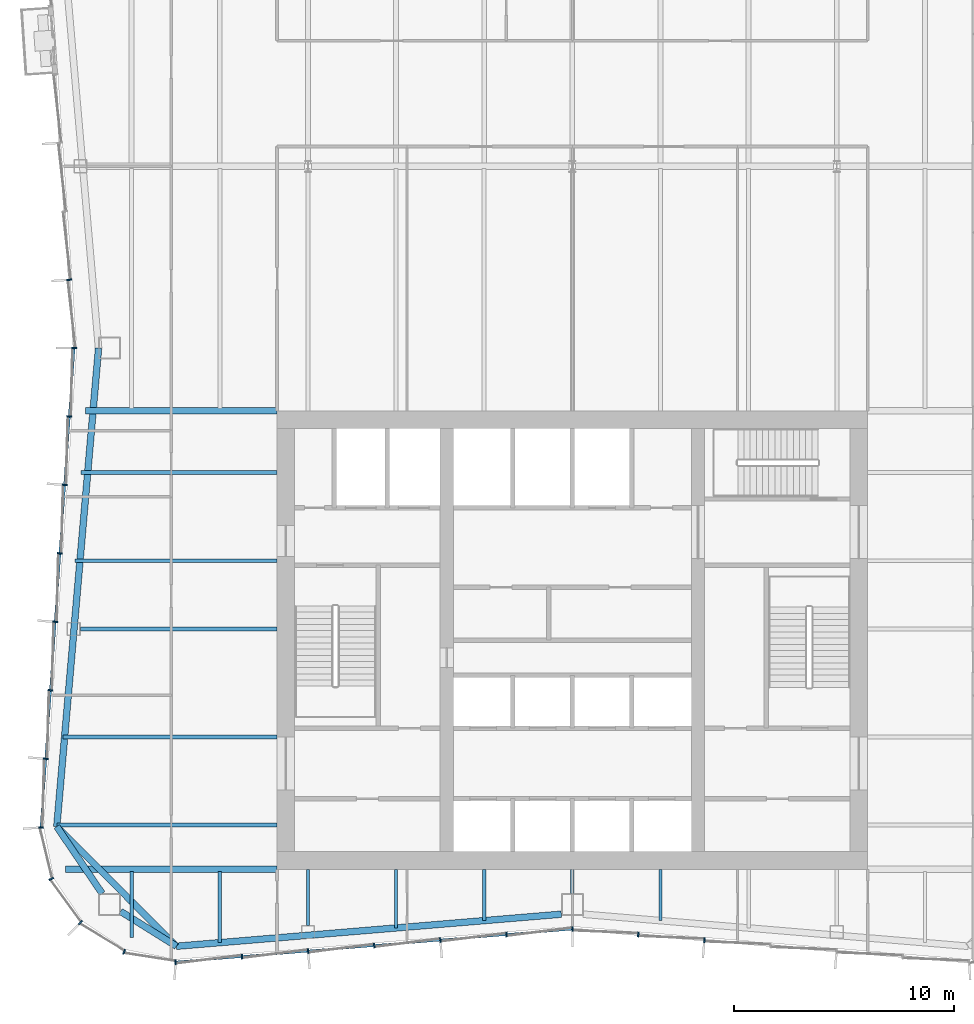
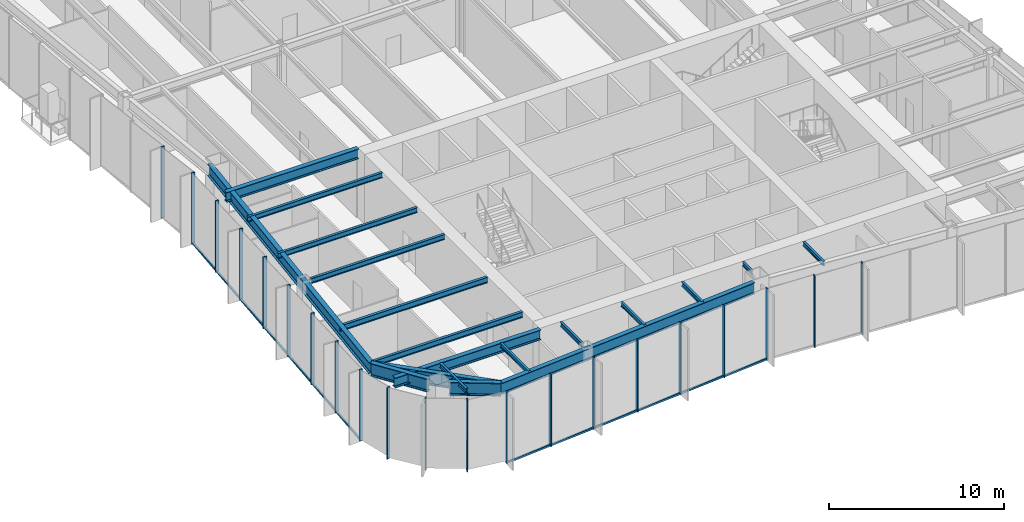
# One storey, part 3 of 15: 23 members, 19 beams, 3 elements without a shape of their own.
"""IFC4 building model written with IfcOpenShell, lengths in metres."""

from ifc_helpers import new_model, si_unit, direction, frame, origin, origin_2d, place, context, subcontext, project, spatial, rectangle, i_section, extrude, material, material_profile, profile_set, type_object, element, aggregate, save


model = new_model("IFC4")

# Units and contexts
model_context = context("Model", 3, precision=1e-05, world=origin(), true_north=direction((0.0, 1.0)))
body_context = subcontext(model_context, "Body", "Model", "MODEL_VIEW")
ifc_project = project(units=[si_unit("LENGTHUNIT", "METRE"), si_unit("AREAUNIT", "SQUARE_METRE"), si_unit("VOLUMEUNIT", "CUBIC_METRE"), si_unit("PLANEANGLEUNIT", "RADIAN"), si_unit("MASSUNIT", "GRAM", prefix="KILO")], contexts=[model_context])

# Site, building, storey
site_placement = place(None, origin())
site = spatial("IfcSite", under=ifc_project, at=site_placement, CompositionType="ELEMENT")
building_placement = place(site_placement, origin())
building = spatial("IfcBuilding", under=site, at=building_placement, Name="Verdant Reach Tower", CompositionType="ELEMENT")
storey_placement = place(building_placement, frame((0.0, 0.0, 233.0)))
storey = spatial("IfcBuildingStorey", under=building, at=storey_placement, Name="L53", CompositionType="ELEMENT", Elevation=233.0)

# Curtain wall, members
ifc_material_1 = material(Name="Anodised aluminium", Category="aluminium")
curtain_wall_type = type_object("IfcCurtainWallType", Name="EN-CW SYSTEM Z4", PredefinedType="NOTDEFINED", material=ifc_material_1)
curtain_wall_1_placement = place(storey_placement, origin())
curtain_wall_1 = element("IfcCurtainWall", 1, at=curtain_wall_1_placement, inside=storey, type_object=curtain_wall_type, Name="Curtain wall west, L53", PredefinedType="NOTDEFINED")
ifc_material_profile_1 = material_profile(ifc_material_1, rectangle(XDim=0.22412109375, YDim=0.068115234375, at=origin_2d()), Name="Mullion 68x224")
ifc_profile_set_1 = profile_set([ifc_material_profile_1], Name="Anodised aluminium")
member_type_1 = type_object("IfcMemberType", Name="EN-MULLION Z4", PredefinedType="MULLION", material=ifc_profile_set_1)
member_1_placement = place(storey_placement, frame((-22.825927734375, 44.349365234375, -0.35009765625), z_axis=(0.0, 0.0, 1.0), x_axis=(-0.997630328423, -0.068802091615, 0.0)))
member_1 = element("IfcMember", 2, at=member_1_placement, type_object=member_type_1, Name="Mullion west face part 1 7, L53", PredefinedType="MULLION", context=body_context, shape_type="SweptSolid", body=[
    extrude(rectangle(XDim=0.22412109375, YDim=0.068115234375, at=origin_2d()), origin(), (0.0, 0.0, 1.0), 5.0),
])
member_2_placement = place(storey_placement, frame((-22.612060546875, 41.25, -0.35009765625), z_axis=(0.0, 0.0, 1.0), x_axis=(-1.0, 0.0, 0.0)))
member_2 = element("IfcMember", 3, at=member_2_placement, type_object=member_type_1, Name="Mullion west face part 2 1, L53", PredefinedType="MULLION", context=body_context, shape_type="SweptSolid", body=[
    extrude(rectangle(XDim=0.22412109375, YDim=0.068115234375, at=origin_2d()), origin(), (0.0, 0.0, 1.0), 5.0),
])
member_3_placement = place(storey_placement, frame((-22.825927734375, 38.150634765625, -0.35009765625), z_axis=(0.0, 0.0, 1.0), x_axis=(-0.997630328423, 0.068802091615, 0.0)))
member_3 = element("IfcMember", 4, at=member_3_placement, type_object=member_type_1, Name="Mullion west face part 2 2, L53", PredefinedType="MULLION", context=body_context, shape_type="SweptSolid", body=[
    extrude(rectangle(XDim=0.22412109375, YDim=0.068115234375, at=origin_2d()), origin(), (0.0, 0.0, 1.0), 5.0),
])
member_4_placement = place(storey_placement, frame((-23.040283203125, 35.04345703125, -0.35009765625), z_axis=(0.0, 0.0, 1.0), x_axis=(-0.997630328423, 0.068802091615, 0.0)))
member_4 = element("IfcMember", 5, at=member_4_placement, type_object=member_type_1, Name="Mullion west face part 2 3, L53", PredefinedType="MULLION", context=body_context, shape_type="SweptSolid", body=[
    extrude(rectangle(XDim=0.22412109375, YDim=0.068115234375, at=origin_2d()), origin(), (0.0, 0.0, 1.0), 5.0),
])
member_5_placement = place(storey_placement, frame((-23.254638671875, 31.936279296875, -0.35009765625), z_axis=(0.0, 0.0, 1.0), x_axis=(-0.997630328423, 0.068802091615, 0.0)))
member_5 = element("IfcMember", 6, at=member_5_placement, type_object=member_type_1, Name="Mullion west face part 2 4, L53", PredefinedType="MULLION", context=body_context, shape_type="SweptSolid", body=[
    extrude(rectangle(XDim=0.22412109375, YDim=0.068115234375, at=origin_2d()), origin(), (0.0, 0.0, 1.0), 5.0),
])
member_6_placement = place(storey_placement, frame((-23.468994140625, 28.8291015625, -0.35009765625), z_axis=(0.0, 0.0, 1.0), x_axis=(-0.997630328423, 0.068802091615, 0.0)))
member_6 = element("IfcMember", 7, at=member_6_placement, type_object=member_type_1, Name="Mullion west face part 2 5, L53", PredefinedType="MULLION", context=body_context, shape_type="SweptSolid", body=[
    extrude(rectangle(XDim=0.22412109375, YDim=0.068115234375, at=origin_2d()), origin(), (0.0, 0.0, 1.0), 5.0),
])
member_7_placement = place(storey_placement, frame((-23.68310546875, 25.721923828125, -0.35009765625), z_axis=(0.0, 0.0, 1.0), x_axis=(-0.997630328423, 0.068802091615, 0.0)))
member_7 = element("IfcMember", 8, at=member_7_placement, type_object=member_type_1, Name="Mullion west face part 2 6, L53", PredefinedType="MULLION", context=body_context, shape_type="SweptSolid", body=[
    extrude(rectangle(XDim=0.22412109375, YDim=0.068115234375, at=origin_2d()), origin(), (0.0, 0.0, 1.0), 5.0),
])
member_8_placement = place(storey_placement, frame((-23.8974609375, 22.61474609375, -0.35009765625), z_axis=(0.0, 0.0, 1.0), x_axis=(-0.997630328423, 0.068802091615, 0.0)))
member_8 = element("IfcMember", 9, at=member_8_placement, type_object=member_type_1, Name="Mullion west face part 2 7, L53", PredefinedType="MULLION", context=body_context, shape_type="SweptSolid", body=[
    extrude(rectangle(XDim=0.22412109375, YDim=0.068115234375, at=origin_2d()), origin(), (0.0, 0.0, 1.0), 5.0),
])

curtain_wall_2_placement = place(storey_placement, origin())
curtain_wall_2 = element("IfcCurtainWall", 10, at=curtain_wall_2_placement, inside=storey, type_object=curtain_wall_type, Name="Curtain wall south-west corner, L53", PredefinedType="NOTDEFINED")
member_9_placement = place(storey_placement, frame((-24.11181640625, 19.492919921875, -0.35009765625), z_axis=(0.0, 0.0, 1.0), x_axis=(-0.997969180898, -0.063698618332, 0.0)))
member_9 = element("IfcMember", 11, at=member_9_placement, type_object=member_type_1, Name="Mullion south-west corner 1, L53", PredefinedType="MULLION", context=body_context, shape_type="SweptSolid", body=[
    extrude(rectangle(XDim=0.22412109375, YDim=0.068115234375, at=origin_2d()), origin(), (0.0, 0.0, 1.0), 5.0),
])
member_10_placement = place(storey_placement, frame((-23.646728515625, 17.1611328125, -0.35009765625), z_axis=(0.0, 0.0, 1.0), x_axis=(-0.923875215753, -0.382693853776, 0.0)))
member_10 = element("IfcMember", 12, at=member_10_placement, type_object=member_type_1, Name="Mullion south-west corner 2, L53", PredefinedType="MULLION", context=body_context, shape_type="SweptSolid", body=[
    extrude(rectangle(XDim=0.22412109375, YDim=0.068115234375, at=origin_2d()), origin(), (0.0, 0.0, 1.0), 5.0),
])
member_11_placement = place(storey_placement, frame((-22.32177734375, 15.17822265625, -0.35009765625), z_axis=(0.0, 0.0, 1.0), x_axis=(-0.707106781187, -0.707106781187, 0.0)))
member_11 = element("IfcMember", 13, at=member_11_placement, type_object=member_type_1, Name="Mullion south-west corner 3, L53", PredefinedType="MULLION", context=body_context, shape_type="SweptSolid", body=[
    extrude(rectangle(XDim=0.22412109375, YDim=0.068115234375, at=origin_2d()), origin(), (0.0, 0.0, 1.0), 5.0),
])
member_12_placement = place(storey_placement, frame((-20.3388671875, 13.853271484375, -0.35009765625), z_axis=(0.0, 0.0, 1.0), x_axis=(-0.382693853776, -0.923875215753, 0.0)))
member_12 = element("IfcMember", 14, at=member_12_placement, type_object=member_type_1, Name="Mullion south-west corner 4, L53", PredefinedType="MULLION", context=body_context, shape_type="SweptSolid", body=[
    extrude(rectangle(XDim=0.22412109375, YDim=0.068115234375, at=origin_2d()), origin(), (0.0, 0.0, 1.0), 5.0),
])
aggregate(curtain_wall_2, [member_9, member_10, member_11, member_12])

curtain_wall_3_placement = place(storey_placement, origin())
curtain_wall_3 = element("IfcCurtainWall", 15, at=curtain_wall_3_placement, inside=storey, type_object=curtain_wall_type, Name="Curtain wall south, L53", PredefinedType="NOTDEFINED")
member_13_placement = place(storey_placement, frame((-18.00634765625, 13.38818359375, -0.35009765625), z_axis=(0.0, 0.0, 1.0), x_axis=(-0.056569187765, -0.998398681387, 0.0)))
member_13 = element("IfcMember", 16, at=member_13_placement, type_object=member_type_1, Name="Mullion south face part 1 1, L53", PredefinedType="MULLION", context=body_context, shape_type="SweptSolid", body=[
    extrude(rectangle(XDim=0.22412109375, YDim=0.068115234375, at=origin_2d()), origin(), (0.0, 0.0, 1.0), 5.0),
])
member_14_placement = place(storey_placement, frame((-14.99072265625, 13.638427734375, -0.35009765625), z_axis=(0.0, 0.0, 1.0), x_axis=(0.083045479859, -0.996545758244, 0.0)))
member_14 = element("IfcMember", 17, at=member_14_placement, type_object=member_type_1, Name="Mullion south face part 1 2, L53", PredefinedType="MULLION", context=body_context, shape_type="SweptSolid", body=[
    extrude(rectangle(XDim=0.22412109375, YDim=0.068115234375, at=origin_2d()), origin(), (0.0, 0.0, 1.0), 5.0),
])
member_15_placement = place(storey_placement, frame((-11.99072265625, 13.888427734375, -0.35009765625), z_axis=(0.0, 0.0, 1.0), x_axis=(0.083045479859, -0.996545758244, 0.0)))
member_15 = element("IfcMember", 18, at=member_15_placement, type_object=member_type_1, Name="Mullion south face part 1 3, L53", PredefinedType="MULLION", context=body_context, shape_type="SweptSolid", body=[
    extrude(rectangle(XDim=0.22412109375, YDim=0.068115234375, at=origin_2d()), origin(), (0.0, 0.0, 1.0), 5.0),
])
member_16_placement = place(storey_placement, frame((-8.99072265625, 14.138427734375, -0.35009765625), z_axis=(0.0, 0.0, 1.0), x_axis=(0.083045479859, -0.996545758244, 0.0)))
member_16 = element("IfcMember", 19, at=member_16_placement, type_object=member_type_1, Name="Mullion south face part 1 4, L53", PredefinedType="MULLION", context=body_context, shape_type="SweptSolid", body=[
    extrude(rectangle(XDim=0.22412109375, YDim=0.068115234375, at=origin_2d()), origin(), (0.0, 0.0, 1.0), 5.0),
])
member_17_placement = place(storey_placement, frame((-5.99072265625, 14.388427734375, -0.35009765625), z_axis=(0.0, 0.0, 1.0), x_axis=(0.083045479859, -0.996545758244, 0.0)))
member_17 = element("IfcMember", 20, at=member_17_placement, type_object=member_type_1, Name="Mullion south face part 1 5, L53", PredefinedType="MULLION", context=body_context, shape_type="SweptSolid", body=[
    extrude(rectangle(XDim=0.22412109375, YDim=0.068115234375, at=origin_2d()), origin(), (0.0, 0.0, 1.0), 5.0),
])
member_18_placement = place(storey_placement, frame((-2.99072265625, 14.638427734375, -0.35009765625), z_axis=(0.0, 0.0, 1.0), x_axis=(0.083045479859, -0.996545758244, 0.0)))
member_18 = element("IfcMember", 21, at=member_18_placement, type_object=member_type_1, Name="Mullion south face part 1 6, L53", PredefinedType="MULLION", context=body_context, shape_type="SweptSolid", body=[
    extrude(rectangle(XDim=0.22412109375, YDim=0.068115234375, at=origin_2d()), origin(), (0.0, 0.0, 1.0), 5.0),
])
member_19_placement = place(storey_placement, frame((0.0, 14.887939453125, -0.35009765625), z_axis=(0.0, 0.0, 1.0), x_axis=(0.0, -1.0, 0.0)))
member_19 = element("IfcMember", 22, at=member_19_placement, type_object=member_type_1, Name="Mullion south face part 2 1, L53", PredefinedType="MULLION", context=body_context, shape_type="SweptSolid", body=[
    extrude(rectangle(XDim=0.22412109375, YDim=0.068115234375, at=origin_2d()), origin(), (0.0, 0.0, 1.0), 5.0),
])
member_20_placement = place(storey_placement, frame((2.99072265625, 14.638427734375, -0.35009765625), z_axis=(0.0, 0.0, 1.0), x_axis=(-0.083045479859, -0.996545758244, 0.0)))
member_20 = element("IfcMember", 23, at=member_20_placement, type_object=member_type_1, Name="Mullion south face part 2 2, L53", PredefinedType="MULLION", context=body_context, shape_type="SweptSolid", body=[
    extrude(rectangle(XDim=0.22412109375, YDim=0.068115234375, at=origin_2d()), origin(), (0.0, 0.0, 1.0), 5.0),
])
member_21_placement = place(storey_placement, frame((5.99072265625, 14.388427734375, -0.35009765625), z_axis=(0.0, 0.0, 1.0), x_axis=(-0.083045479859, -0.996545758244, 0.0)))
member_21 = element("IfcMember", 24, at=member_21_placement, type_object=member_type_1, Name="Mullion south face part 2 3, L53", PredefinedType="MULLION", context=body_context, shape_type="SweptSolid", body=[
    extrude(rectangle(XDim=0.22412109375, YDim=0.068115234375, at=origin_2d()), origin(), (0.0, 0.0, 1.0), 5.0),
])

# Member
ifc_material_profile_2 = material_profile(ifc_material_1, rectangle(XDim=0.10009765625, YDim=0.1279296875, at=origin_2d()), Name="Transom 128x100")
ifc_profile_set_2 = profile_set([ifc_material_profile_2], Name="Anodised aluminium")
member_type_2 = type_object("IfcMemberType", Name="EN-TRANSOM Z4", PredefinedType="USERDEFINED", material=ifc_profile_set_2)
member_22_placement = place(storey_placement, frame((-22.6142578125, 41.216064453125, -0.285888671875), z_axis=(-0.068770489035, -0.997632507408, 0.0), x_axis=(0.997632507408, -0.068770489035, 0.0)))
member_22 = element("IfcMember", 25, at=member_22_placement, type_object=member_type_2, Name="Transom west face part 2 1.1, L53", ObjectType="TRANSOM", PredefinedType="USERDEFINED", context=body_context, shape_type="SweptSolid", body=[
    extrude(rectangle(XDim=0.10009765625, YDim=0.1279296875, at=origin_2d()), origin(), (0.0, 0.0, 1.0), 21.74072265625),
])

aggregate(curtain_wall_1, [member_1, member_2, member_3, member_4, member_5, member_6, member_7, member_8, member_22])

member_23_placement = place(storey_placement, frame((-17.972412109375, 13.39111328125, -0.285888671875), z_axis=(0.996549124771, 0.083005071637, 0.0), x_axis=(-0.083005071637, 0.996549124771, 0.0)))
member_23 = element("IfcMember", 26, at=member_23_placement, type_object=member_type_2, Name="Transom south face part 1 1.1, L53", ObjectType="TRANSOM", PredefinedType="USERDEFINED", context=body_context, shape_type="SweptSolid", body=[
    extrude(rectangle(XDim=0.10009765625, YDim=0.1279296875, at=origin_2d()), origin(), (0.0, 0.0, 1.0), 18.00048828125),
])

aggregate(curtain_wall_3, [member_13, member_14, member_15, member_16, member_17, member_18, member_23, member_19, member_20, member_21])

# Beams
ifc_material_2 = material(Name="Steel S355", Category="steel")
ifc_material_profile_3 = material_profile(ifc_material_2, i_section(OverallWidth=0.300048828125, OverallDepth=0.699951171875, WebThickness=0.01708984375, FlangeThickness=0.031982421875, FilletRadius=0.027099609375, at=origin_2d()), Name="HEB 700")
ifc_profile_set_3 = profile_set([ifc_material_profile_3], Name="Steel S355")
beam_type_1 = type_object("IfcBeamType", Name="ST-BEAM-HEB700", PredefinedType="BEAM", material=ifc_profile_set_3)
beam_1_placement = place(storey_placement, frame((-13.39990234375, 38.39990234375, 4.52001953125), z_axis=(-1.0, 0.0, 0.0), x_axis=(0.0, -1.0, 0.0)))
element("IfcBeam", 27, at=beam_1_placement, inside=storey, type_object=beam_type_1, Name="Trimmer beam, L53", PredefinedType="BEAM", context=body_context, shape_type="SweptSolid", body=[
    extrude(i_section(OverallWidth=0.300048828125, OverallDepth=0.699951171875, WebThickness=0.01708984375, FlangeThickness=0.031982421875, FilletRadius=0.027099609375, at=origin_2d()), origin(), (0.0, 0.0, 1.0), 8.6953125),
])
beam_2_placement = place(storey_placement, frame((-13.39990234375, 17.60009765625, 4.52001953125), z_axis=(-1.0, 0.0, 0.0), x_axis=(0.0, -1.0, 0.0)))
element("IfcBeam", 28, at=beam_2_placement, inside=storey, type_object=beam_type_1, Name="Trimmer beam, L53", PredefinedType="BEAM", context=body_context, shape_type="SweptSolid", body=[
    extrude(i_section(OverallWidth=0.300048828125, OverallDepth=0.699951171875, WebThickness=0.01708984375, FlangeThickness=0.031982421875, FilletRadius=0.027099609375, at=origin_2d()), origin(), (0.0, 0.0, 1.0), 9.6103515625),
])
ifc_material_profile_4 = material_profile(ifc_material_2, i_section(OverallWidth=0.302001953125, OverallDepth=0.909912109375, WebThickness=0.02099609375, FlangeThickness=0.0400390625, FilletRadius=0.030029296875, at=origin_2d()), Name="HEM 900")
ifc_profile_set_4 = profile_set([ifc_material_profile_4], Name="Steel S355")
beam_type_2 = type_object("IfcBeamType", Name="ST-BEAM-HEM900", PredefinedType="BEAM", material=ifc_profile_set_4)
beam_3_placement = place(storey_placement, frame((-20.5, 15.687744140625, 4.4150390625), z_axis=(0.848163521635, -0.529734500073, 0.0), x_axis=(0.529734500073, 0.848163521635, 0.0)))
element("IfcBeam", 29, at=beam_3_placement, inside=storey, type_object=beam_type_2, Name="Column stub beam, L53", PredefinedType="BEAM", context=body_context, shape_type="SweptSolid", body=[
    extrude(i_section(OverallWidth=0.302001953125, OverallDepth=0.909912109375, WebThickness=0.02099609375, FlangeThickness=0.0400390625, FilletRadius=0.030029296875, at=origin_2d()), origin(), (0.0, 0.0, 1.0), 2.98779296875),
])
beam_4_placement = place(storey_placement, frame((-21.33837890625, 16.5, 4.4150390625), z_axis=(-0.560703975309, 0.828016335631, 0.0), x_axis=(-0.828016335631, -0.560703975309, 0.0)))
element("IfcBeam", 30, at=beam_4_placement, inside=storey, type_object=beam_type_2, Name="Column stub beam, L53", PredefinedType="BEAM", context=body_context, shape_type="SweptSolid", body=[
    extrude(i_section(OverallWidth=0.302001953125, OverallDepth=0.909912109375, WebThickness=0.02099609375, FlangeThickness=0.0400390625, FilletRadius=0.030029296875, at=origin_2d()), origin(), (0.0, 0.0, 1.0), 3.669677734375),
])
ifc_material_profile_5 = material_profile(ifc_material_2, i_section(OverallWidth=0.14990234375, OverallDepth=0.300048828125, WebThickness=0.007080078125, FlangeThickness=0.0107421875, FilletRadius=0.014892578125, at=origin_2d()), Name="IPE 300")
ifc_profile_set_5 = profile_set([ifc_material_profile_5], Name="Steel S355")
beam_type_3 = type_object("IfcBeamType", Name="ST-JOIST-IPE300", PredefinedType="JOIST", material=ifc_profile_set_5)
beam_5_placement = place(storey_placement, frame((-20.0, 17.5, 4.719970703125), z_axis=(0.0, -1.0, 0.0), x_axis=(1.0, 0.0, 0.0)))
element("IfcBeam", 31, at=beam_5_placement, inside=storey, type_object=beam_type_3, Name="Floor joist, L53", PredefinedType="JOIST", context=body_context, shape_type="SweptSolid", body=[
    extrude(i_section(OverallWidth=0.14990234375, OverallDepth=0.300048828125, WebThickness=0.007080078125, FlangeThickness=0.0107421875, FilletRadius=0.014892578125, at=origin_2d()), origin(), (0.0, 0.0, 1.0), 2.990478515625),
])
beam_6_placement = place(storey_placement, frame((-16.0, 17.5, 4.719970703125), z_axis=(0.0, -1.0, 0.0), x_axis=(1.0, 0.0, 0.0)))
element("IfcBeam", 32, at=beam_6_placement, inside=storey, type_object=beam_type_3, Name="Floor joist, L53", PredefinedType="JOIST", context=body_context, shape_type="SweptSolid", body=[
    extrude(i_section(OverallWidth=0.14990234375, OverallDepth=0.300048828125, WebThickness=0.007080078125, FlangeThickness=0.0107421875, FilletRadius=0.014892578125, at=origin_2d()), origin(), (0.0, 0.0, 1.0), 3.231201171875),
])
beam_7_placement = place(storey_placement, frame((-12.0, 17.60009765625, 4.719970703125), z_axis=(0.0, -1.0, 0.0), x_axis=(1.0, 0.0, 0.0)))
element("IfcBeam", 33, at=beam_7_placement, inside=storey, type_object=beam_type_3, Name="Floor joist, L53", PredefinedType="JOIST", context=body_context, shape_type="SweptSolid", body=[
    extrude(i_section(OverallWidth=0.14990234375, OverallDepth=0.300048828125, WebThickness=0.007080078125, FlangeThickness=0.0107421875, FilletRadius=0.014892578125, at=origin_2d()), origin(), (0.0, 0.0, 1.0), 2.550048828125),
])
beam_8_placement = place(storey_placement, frame((-8.0, 17.60009765625, 4.719970703125), z_axis=(0.0, -1.0, 0.0), x_axis=(1.0, 0.0, 0.0)))
element("IfcBeam", 34, at=beam_8_placement, inside=storey, type_object=beam_type_3, Name="Floor joist, L53", PredefinedType="JOIST", context=body_context, shape_type="SweptSolid", body=[
    extrude(i_section(OverallWidth=0.14990234375, OverallDepth=0.300048828125, WebThickness=0.007080078125, FlangeThickness=0.0107421875, FilletRadius=0.014892578125, at=origin_2d()), origin(), (0.0, 0.0, 1.0), 2.664794921875),
])
beam_9_placement = place(storey_placement, frame((-4.0, 17.60009765625, 4.719970703125), z_axis=(0.0, -1.0, 0.0), x_axis=(1.0, 0.0, 0.0)))
element("IfcBeam", 35, at=beam_9_placement, inside=storey, type_object=beam_type_3, Name="Floor joist, L53", PredefinedType="JOIST", context=body_context, shape_type="SweptSolid", body=[
    extrude(i_section(OverallWidth=0.14990234375, OverallDepth=0.300048828125, WebThickness=0.007080078125, FlangeThickness=0.0107421875, FilletRadius=0.014892578125, at=origin_2d()), origin(), (0.0, 0.0, 1.0), 2.331298828125),
])
beam_10_placement = place(storey_placement, frame((0.0, 17.60009765625, 4.719970703125), z_axis=(0.0, -1.0, 0.0), x_axis=(1.0, 0.0, 0.0)))
element("IfcBeam", 36, at=beam_10_placement, inside=storey, type_object=beam_type_3, Name="Floor joist, L53", PredefinedType="JOIST", context=body_context, shape_type="SweptSolid", body=[
    extrude(i_section(OverallWidth=0.14990234375, OverallDepth=0.300048828125, WebThickness=0.007080078125, FlangeThickness=0.0107421875, FilletRadius=0.014892578125, at=origin_2d()), origin(), (0.0, 0.0, 1.0), 1.10009765625),
])
beam_11_placement = place(storey_placement, frame((4.0, 17.60009765625, 4.719970703125), z_axis=(0.0, -1.0, 0.0), x_axis=(1.0, 0.0, 0.0)))
element("IfcBeam", 37, at=beam_11_placement, inside=storey, type_object=beam_type_3, Name="Floor joist, L53", PredefinedType="JOIST", context=body_context, shape_type="SweptSolid", body=[
    extrude(i_section(OverallWidth=0.14990234375, OverallDepth=0.300048828125, WebThickness=0.007080078125, FlangeThickness=0.0107421875, FilletRadius=0.014892578125, at=origin_2d()), origin(), (0.0, 0.0, 1.0), 2.331298828125),
])
ifc_material_profile_6 = material_profile(ifc_material_2, i_section(OverallWidth=0.169921875, OverallDepth=0.360107421875, WebThickness=0.008056640625, FlangeThickness=0.0126953125, FilletRadius=0.01806640625, at=origin_2d()), Name="IPE 360")
ifc_profile_set_6 = profile_set([ifc_material_profile_6], Name="Steel S355")
beam_type_4 = type_object("IfcBeamType", Name="ST-JOIST-IPE360", PredefinedType="JOIST", material=ifc_profile_set_6)
beam_12_placement = place(storey_placement, frame((-13.39990234375, 28.5, 4.68994140625), z_axis=(-1.0, 0.0, 0.0), x_axis=(0.0, -1.0, 0.0)))
element("IfcBeam", 38, at=beam_12_placement, inside=storey, type_object=beam_type_4, Name="Floor joist, L53", PredefinedType="JOIST", context=body_context, shape_type="SweptSolid", body=[
    extrude(i_section(OverallWidth=0.169921875, OverallDepth=0.360107421875, WebThickness=0.008056640625, FlangeThickness=0.0126953125, FilletRadius=0.01806640625, at=origin_2d()), origin(), (0.0, 0.0, 1.0), 8.929443359375),
])
beam_13_placement = place(storey_placement, frame((-13.39990234375, 31.60009765625, 4.68994140625), z_axis=(-1.0, 0.0, 0.0), x_axis=(0.0, -1.0, 0.0)))
element("IfcBeam", 39, at=beam_13_placement, inside=storey, type_object=beam_type_4, Name="Floor joist, L53", PredefinedType="JOIST", context=body_context, shape_type="SweptSolid", body=[
    extrude(i_section(OverallWidth=0.169921875, OverallDepth=0.360107421875, WebThickness=0.008056640625, FlangeThickness=0.0126953125, FilletRadius=0.01806640625, at=origin_2d()), origin(), (0.0, 0.0, 1.0), 9.164306640625),
])
beam_14_placement = place(storey_placement, frame((-13.39990234375, 35.60009765625, 4.68994140625), z_axis=(-1.0, 0.0, 0.0), x_axis=(0.0, -1.0, 0.0)))
element("IfcBeam", 40, at=beam_14_placement, inside=storey, type_object=beam_type_4, Name="Floor joist, L53", PredefinedType="JOIST", context=body_context, shape_type="SweptSolid", body=[
    extrude(i_section(OverallWidth=0.169921875, OverallDepth=0.360107421875, WebThickness=0.008056640625, FlangeThickness=0.0126953125, FilletRadius=0.01806640625, at=origin_2d()), origin(), (0.0, 0.0, 1.0), 8.88818359375),
])
ifc_material_profile_7 = material_profile(ifc_material_2, i_section(OverallWidth=0.179931640625, OverallDepth=0.39990234375, WebThickness=0.008544921875, FlangeThickness=0.013427734375, FilletRadius=0.02099609375, at=origin_2d()), Name="IPE 400")
ifc_profile_set_7 = profile_set([ifc_material_profile_7], Name="Steel S355")
beam_type_5 = type_object("IfcBeamType", Name="ST-JOIST-IPE400", PredefinedType="JOIST", material=ifc_profile_set_7)
beam_15_placement = place(storey_placement, frame((-13.39990234375, 19.60009765625, 4.669921875), z_axis=(-1.0, 0.0, 0.0), x_axis=(0.0, -1.0, 0.0)))
element("IfcBeam", 41, at=beam_15_placement, inside=storey, type_object=beam_type_5, Name="Floor joist, L53", PredefinedType="JOIST", context=body_context, shape_type="SweptSolid", body=[
    extrude(i_section(OverallWidth=0.179931640625, OverallDepth=0.39990234375, WebThickness=0.008544921875, FlangeThickness=0.013427734375, FilletRadius=0.02099609375, at=origin_2d()), origin(), (0.0, 0.0, 1.0), 9.99169921875),
])
beam_16_placement = place(storey_placement, frame((-13.39990234375, 23.60009765625, 4.669921875), z_axis=(-1.0, 0.0, 0.0), x_axis=(0.0, -1.0, 0.0)))
element("IfcBeam", 42, at=beam_16_placement, inside=storey, type_object=beam_type_5, Name="Floor joist, L53", PredefinedType="JOIST", context=body_context, shape_type="SweptSolid", body=[
    extrude(i_section(OverallWidth=0.179931640625, OverallDepth=0.39990234375, WebThickness=0.008544921875, FlangeThickness=0.013427734375, FilletRadius=0.02099609375, at=origin_2d()), origin(), (0.0, 0.0, 1.0), 9.7158203125),
])
ifc_material_profile_8 = material_profile(ifc_material_2, i_section(OverallWidth=0.300048828125, OverallDepth=0.800048828125, WebThickness=0.017578125, FlangeThickness=0.032958984375, FilletRadius=0.030029296875, at=origin_2d()), Name="HEB 800")
ifc_profile_set_8 = profile_set([ifc_material_profile_8], Name="Steel S355")
beam_type_6 = type_object("IfcBeamType", Name="ST-SPANDREL-HEB800", PredefinedType="SPANDREL", material=ifc_profile_set_8)
beam_17_placement = place(storey_placement, frame((-0.5, 15.560302734375, 4.469970703125), z_axis=(-0.99654652675, -0.083036257282, 0.0), x_axis=(0.083036257282, -0.99654652675, 0.0)))
element("IfcBeam", 43, at=beam_17_placement, inside=storey, type_object=beam_type_6, Name="Edge beam, L53", PredefinedType="SPANDREL", context=body_context, shape_type="SweptSolid", body=[
    extrude(i_section(OverallWidth=0.300048828125, OverallDepth=0.800048828125, WebThickness=0.017578125, FlangeThickness=0.032958984375, FilletRadius=0.030029296875, at=origin_2d()), origin(), (0.0, 0.0, 1.0), 17.5263671875),
])
beam_18_placement = place(storey_placement, frame((-23.39599609375, 19.53857421875, 4.469970703125), z_axis=(0.086996024331, 0.996208658741, 0.0), x_axis=(-0.996208658741, 0.086996024331, 0.0)))
element("IfcBeam", 44, at=beam_18_placement, inside=storey, type_object=beam_type_6, Name="Edge beam, L53", PredefinedType="SPANDREL", context=body_context, shape_type="SweptSolid", body=[
    extrude(i_section(OverallWidth=0.300048828125, OverallDepth=0.800048828125, WebThickness=0.017578125, FlangeThickness=0.032958984375, FilletRadius=0.030029296875, at=origin_2d()), origin(), (0.0, 0.0, 1.0), 21.7939453125),
])
ifc_material_profile_9 = material_profile(ifc_material_2, i_section(OverallWidth=0.302001953125, OverallDepth=0.909912109375, WebThickness=0.02099609375, FlangeThickness=0.0400390625, FilletRadius=0.030029296875, at=origin_2d()), Name="HEM 900")
ifc_profile_set_9 = profile_set([ifc_material_profile_9], Name="Steel S355")
beam_type_7 = type_object("IfcBeamType", Name="ST-SPANDREL-HEM900", PredefinedType="SPANDREL", material=ifc_profile_set_9)
beam_19_placement = place(storey_placement, frame((-17.9658203125, 14.10498046875, 4.4150390625), z_axis=(-0.706884275642, 0.707329216738, 0.0), x_axis=(-0.707329216738, -0.706884275642, 0.0)))
element("IfcBeam", 45, at=beam_19_placement, inside=storey, type_object=beam_type_7, Name="Edge beam, L53", PredefinedType="SPANDREL", context=body_context, shape_type="SweptSolid", body=[
    extrude(i_section(OverallWidth=0.302001953125, OverallDepth=0.909912109375, WebThickness=0.02099609375, FlangeThickness=0.0400390625, FilletRadius=0.030029296875, at=origin_2d()), origin(), (0.0, 0.0, 1.0), 7.681884765625),
])

save(model, "model.ifc")
